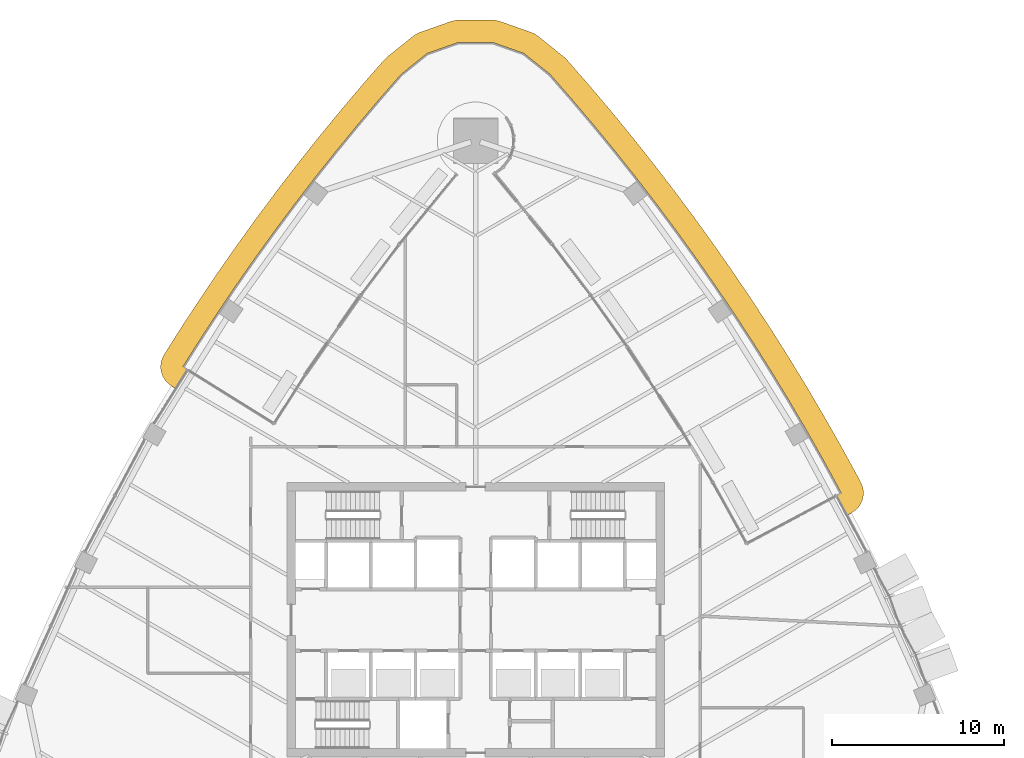
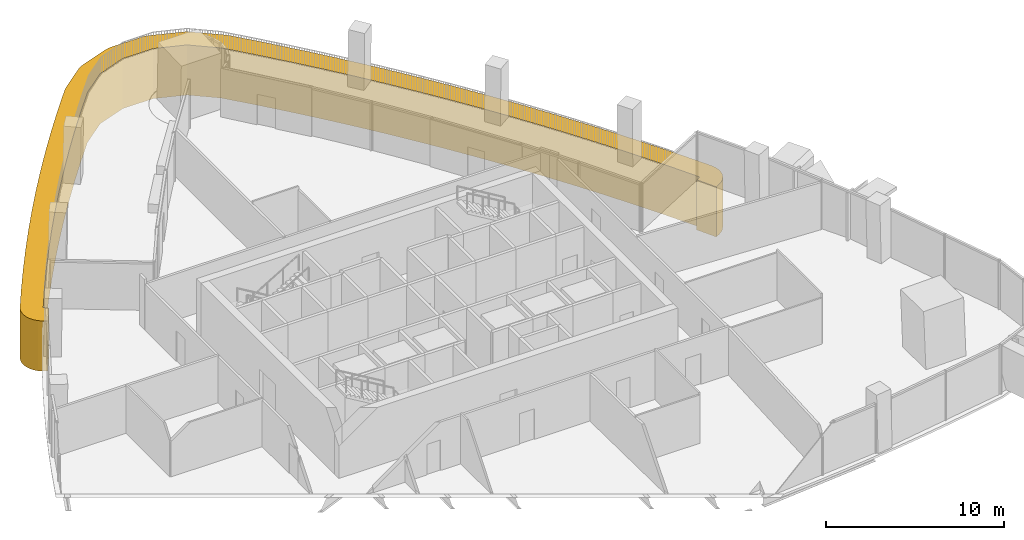
# One storey, part 20 of 21: 1 covering.
"""IFC4 building model written with IfcOpenShell, lengths in metres."""

from ifc_helpers import new_model, si_unit, direction, frame, origin, place, context, subcontext, project, spatial, polyline, outline, extrude, material, layer, layer_set, type_object, element, save


model = new_model("IFC4")

# Units and contexts
model_context = context("Model", 3, precision=1e-05, world=origin(), true_north=direction((0.0, 1.0)))
body_context = subcontext(model_context, "Body", "Model", "MODEL_VIEW")
ifc_project = project(units=[si_unit("LENGTHUNIT", "METRE"), si_unit("AREAUNIT", "SQUARE_METRE"), si_unit("VOLUMEUNIT", "CUBIC_METRE"), si_unit("PLANEANGLEUNIT", "RADIAN"), si_unit("MASSUNIT", "GRAM", prefix="KILO")], contexts=[model_context])

# Site, building, storey
site_placement = place(None, origin())
site = spatial("IfcSite", under=ifc_project, at=site_placement, CompositionType="ELEMENT")
building_placement = place(site_placement, origin())
building = spatial("IfcBuilding", under=site, at=building_placement, Name="Sierra Prisma Convention Tower", CompositionType="ELEMENT")
storey_placement = place(building_placement, frame((0.0, 0.0, 157.800048828125)))
storey = spatial("IfcBuildingStorey", under=building, at=storey_placement, Name="L34", CompositionType="ELEMENT", Elevation=157.800048828125)

# Covering
ifc_material = material(Name="Aluminium composite bronze anodised", Category="aluminium")
ifc_layer = layer(ifc_material, 1.300048828125)
ifc_layer_set = layer_set([ifc_layer], Name="Terrace fascia")
covering_type = type_object("IfcCoveringType", Name="Terrace fascia", PredefinedType="CLADDING", material=ifc_layer_set)
covering_placement = place(storey_placement, frame((0.0, 0.0, -3.400146484375)))
element("IfcCovering", 1, at=covering_placement, inside=storey, type_object=covering_type, Name="Terrace fascia L34.1", PredefinedType="CLADDING", context=body_context, shape_type="SweptSolid", body=[
    extrude(outline(polyline([(-17.7421875, 13.650390625), (-17.94482421875, 13.806396484375), (-18.113037109375, 13.9990234375), (-18.240234375, 14.220703125), (-18.321533203125, 14.463134765625), (-18.35400390625, 14.716796875), (-18.336181640625, 14.9716796875), (-18.268798828125, 15.21826171875), (-18.154296875, 15.447021484375), (-17.279052734375, 16.83544921875), (-17.268310546875, 16.852294921875), (-16.1953125, 18.497314453125), (-16.18408203125, 18.51416015625), (-15.085693359375, 20.142333984375), (-15.074462890625, 20.158935546875), (-13.950927734375, 21.77001953125), (-13.939208984375, 21.786376953125), (-12.790771484375, 23.379638671875), (-12.77880859375, 23.39599609375), (-11.60595703125, 24.97119140625), (-11.59375, 24.9873046875), (-10.396484375, 26.544189453125), (-10.384033203125, 26.56005859375), (-9.16259765625, 28.097900390625), (-9.150146484375, 28.11376953125), (-7.905029296875, 29.632568359375), (-7.89208984375, 29.648193359375), (-6.62353515625, 31.1474609375), (-6.610595703125, 31.162841796875), (-5.31884765625, 32.642333984375), (-5.1533203125, 32.80126953125), (-3.630859375, 34.02294921875), (-3.44873046875, 34.1455078125), (-3.24853515625, 34.235595703125), (-1.4072265625, 34.883056640625), (-1.194580078125, 34.93798828125), (-0.975830078125, 34.95654296875), (0.975830078125, 34.95654296875), (1.194580078125, 34.93798828125), (1.4072265625, 34.883056640625), (3.24853515625, 34.235595703125), (3.44873046875, 34.1455078125), (3.630859375, 34.02294921875), (5.1533203125, 32.80126953125), (5.31884765625, 32.642333984375), (6.610595703125, 31.162841796875), (6.62353515625, 31.1474609375), (7.89208984375, 29.648193359375), (7.905029296875, 29.632568359375), (9.150146484375, 28.11376953125), (9.16259765625, 28.097900390625), (10.384033203125, 26.56005859375), (10.396484375, 26.544189453125), (11.59375, 24.9873046875), (11.60595703125, 24.97119140625), (12.77880859375, 23.39599609375), (12.790771484375, 23.379638671875), (13.939208984375, 21.786376953125), (13.950927734375, 21.77001953125), (15.074462890625, 20.158935546875), (15.085693359375, 20.142333984375), (16.18408203125, 18.51416015625), (16.1953125, 18.497314453125), (17.268310546875, 16.852294921875), (17.279052734375, 16.83544921875), (18.326416015625, 15.173828125), (18.3369140625, 15.15673828125), (19.3583984375, 13.479248046875), (19.36865234375, 13.4619140625), (20.36376953125, 11.768798828125), (20.373779296875, 11.751220703125), (21.3427734375, 10.042724609375), (21.3525390625, 10.025146484375), (22.294677734375, 8.302001953125), (22.30419921875, 8.2841796875), (22.45458984375, 7.99853515625), (22.55029296875, 7.76318359375), (22.5986328125, 7.513916015625), (22.59765625, 7.259765625), (22.547119140625, 7.0107421875), (22.448974609375, 6.776611328125), (22.307373046875, 6.565673828125), (22.127197265625, 6.38623046875), (21.915771484375, 6.24560546875), (21.62841796875, 6.09228515625), (21.022705078125, 7.242431640625), (21.304443359375, 7.392578125), (21.154052734375, 7.67822265625), (20.2119140625, 9.401611328125), (19.2431640625, 11.110107421875), (18.247802734375, 12.80322265625), (17.2265625, 14.480712890625), (16.17919921875, 16.14208984375), (15.1064453125, 17.787109375), (14.008056640625, 19.415283203125), (12.884521484375, 21.026123046875), (11.736083984375, 22.619384765625), (10.563232421875, 24.194580078125), (9.365966796875, 25.751708984375), (8.144775390625, 27.28955078125), (6.899658203125, 28.80859375), (5.631103515625, 30.307861328125), (4.339599609375, 31.787353515625), (2.8173828125, 33.009033203125), (0.975830078125, 33.656494140625), (-0.975830078125, 33.656494140625), (-2.8173828125, 33.009033203125), (-4.339599609375, 31.787353515625), (-5.631103515625, 30.307861328125), (-6.899658203125, 28.80859375), (-8.144775390625, 27.28955078125), (-9.365966796875, 25.751708984375), (-10.563232421875, 24.194580078125), (-11.736083984375, 22.619384765625), (-12.884521484375, 21.026123046875), (-14.008056640625, 19.415283203125), (-15.1064453125, 17.787109375), (-16.17919921875, 16.14208984375), (-17.054443359375, 14.753662109375), (-16.783447265625, 14.584716796875), (-17.476806640625, 13.485107421875), (-17.7421875, 13.650390625)])), origin(), (0.0, 0.0, 1.0), 3.440185546875),
])

save(model, "model.ifc")
